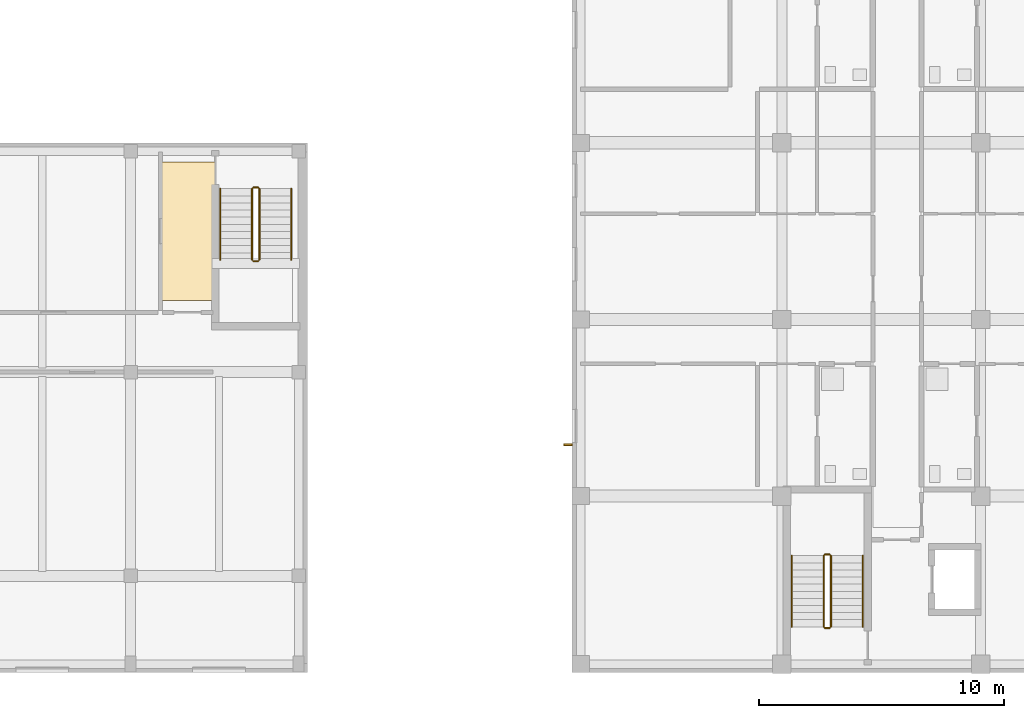
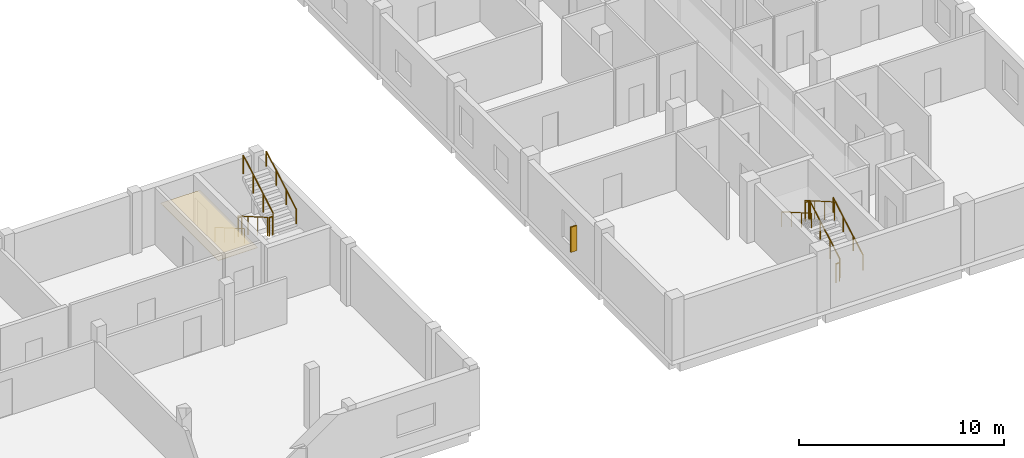
# One storey, part 67 of 73: 12 railings, 1 covering, 1 shading device.
"""IFC4 building model written with IfcOpenShell, lengths in metres."""

from ifc_helpers import new_model, si_unit, derived_unit, direction, frame, origin, origin_2d, place, context, subcontext, project, spatial, polyline, rectangle, circle, outline, extrude, material, layer, layer_set, type_object, element, save


model = new_model("IFC4")

# Units and contexts
model_context = context("Model", 3, precision=1e-05, world=origin(), true_north=direction((0.0, 1.0)))
body_context = subcontext(model_context, "Body", "Model", "MODEL_VIEW")
ifc_project = project(units=[si_unit("LENGTHUNIT", "METRE"), si_unit("AREAUNIT", "SQUARE_METRE"), si_unit("VOLUMEUNIT", "CUBIC_METRE"), si_unit("PLANEANGLEUNIT", "RADIAN"), si_unit("MASSUNIT", "GRAM", prefix="KILO"), derived_unit("THERMALTRANSMITTANCEUNIT", [(si_unit("MASSUNIT", "GRAM", prefix="KILO"), 1), (si_unit("TIMEUNIT", "SECOND"), -3), (si_unit("THERMODYNAMICTEMPERATUREUNIT", "KELVIN"), -1)])], contexts=[model_context])

# Site, building, storey
site_placement = place(None, origin())
site = spatial("IfcSite", under=ifc_project, at=site_placement, CompositionType="ELEMENT")
building_placement = place(site_placement, origin())
building = spatial("IfcBuilding", under=site, at=building_placement, Name="Ochrekiln Boulevard Commons", CompositionType="ELEMENT")
storey_placement = place(building_placement, frame((0.0, 0.0, 4.89990234375)))
storey = spatial("IfcBuildingStorey", under=building, at=storey_placement, Name="L01", CompositionType="ELEMENT", Elevation=4.89990234375)

# Covering
ifc_material_1 = material(Name="Mineral-fibre acoustic ceiling tile")
ifc_layer = layer(ifc_material_1, 0.02490234375)
ifc_layer_set = layer_set([ifc_layer], Name="Mineral-fibre acoustic ceiling tile")
covering_type = type_object("IfcCoveringType", Name="COV-CEIL-AC", PredefinedType="CEILING", material=ifc_layer_set)
covering_placement = place(storey_placement, frame((0.0, 0.0, 2.650146484375)))
element("IfcCovering", 1, at=covering_placement, inside=storey, type_object=covering_type, Name="L01 Acoustic Corridor Ceiling 30", PredefinedType="CEILING", context=body_context, shape_type="SweptSolid", body=[
    extrude(outline(polyline([(130.820068359375, 15.179931640625), (133.030029296875, 15.179931640625), (133.030029296875, 20.820068359375), (130.820068359375, 20.820068359375), (130.820068359375, 15.179931640625)])), origin(), (0.0, 0.0, 1.0), 0.02490234375),
])

# Railings
ifc_material_2 = material(Name="Brushed stainless steel 316 tubular railing", Category="steel")
railing_type_1 = type_object("IfcRailingType", Name="RLG-HDR-900", PredefinedType="HANDRAIL", material=ifc_material_2)
railing_1_placement = place(storey_placement, frame((159.449951171875, 1.8701171875, 0.167236328125)))
element("IfcRailing", 2, at=railing_1_placement, inside=storey, type_object=railing_type_1, Name="L01 ST-C1 stair handrail 1", PredefinedType="HANDRAIL", context=body_context, shape_type="SweptSolid", body=[
    extrude(circle(Radius=0.02392578125, at=origin_2d()), frame((0.0, 0.0, 0.8759765625), z_axis=(0.0, 0.866523023801, 0.499137104634), x_axis=(-1.0, 0.0, 0.0)), (0.0, 0.0, 1.0), 3.3466796875),
    extrude(circle(Radius=0.02099609375, at=origin_2d()), origin(), (0.0, 0.0, 1.0), 0.851806640625),
    extrude(circle(Radius=0.02099609375, at=origin_2d()), frame((0.0, 0.966552734375, 0.556884765625)), (0.0, 0.0, 1.0), 0.851806640625),
    extrude(circle(Radius=0.02099609375, at=origin_2d()), frame((0.0, 1.933349609375, 1.113525390625)), (0.0, 0.0, 1.0), 0.851806640625),
    extrude(circle(Radius=0.02099609375, at=origin_2d()), frame((0.0, 2.89990234375, 1.67041015625)), (0.0, 0.0, 1.0), 0.851806640625),
])
for number, where, name in (
    (3, (156.550048828125, 4.77001953125, 2.004638671875), "L01 ST-C1 stair handrail 2"),
    (4, (133.25, 19.72998046875, 0.167236328125), "L01 ST-E2 stair handrail 1"),
):
    element("IfcRailing", number, at=place(storey_placement, frame(where)), inside=storey, type_object=railing_type_1, Name=name, PredefinedType="HANDRAIL", context=body_context, shape_type="SweptSolid", body=[
        extrude(circle(Radius=0.02392578125, at=origin_2d()), frame((0.0, 0.0, 0.8759765625), z_axis=(0.0, -0.866523023801, 0.499137104634), x_axis=(1.0, 0.0, 0.0)), (0.0, 0.0, 1.0), 3.3466796875),
        extrude(circle(Radius=0.02099609375, at=origin_2d()), origin(), (0.0, 0.0, 1.0), 0.851806640625),
        extrude(circle(Radius=0.02099609375, at=origin_2d()), frame((0.0, -0.966552734375, 0.556884765625)), (0.0, 0.0, 1.0), 0.851806640625),
        extrude(circle(Radius=0.02099609375, at=origin_2d()), frame((0.0, -1.933349609375, 1.113525390625)), (0.0, 0.0, 1.0), 0.851806640625),
        extrude(circle(Radius=0.02099609375, at=origin_2d()), frame((0.0, -2.89990234375, 1.67041015625)), (0.0, 0.0, 1.0), 0.851806640625),
    ])
railing_2_placement = place(storey_placement, frame((136.14990234375, 16.830078125, 2.004638671875)))
element("IfcRailing", 5, at=railing_2_placement, inside=storey, type_object=railing_type_1, Name="L01 ST-E2 stair handrail 2", PredefinedType="HANDRAIL", context=body_context, shape_type="SweptSolid", body=[
    extrude(circle(Radius=0.02392578125, at=origin_2d()), frame((0.0, 0.0, 0.8759765625), z_axis=(0.0, 0.866523023801, 0.499137104634), x_axis=(-1.0, 0.0, 0.0)), (0.0, 0.0, 1.0), 3.3466796875),
    extrude(circle(Radius=0.02099609375, at=origin_2d()), origin(), (0.0, 0.0, 1.0), 0.851806640625),
    extrude(circle(Radius=0.02099609375, at=origin_2d()), frame((0.0, 0.966552734375, 0.556884765625)), (0.0, 0.0, 1.0), 0.851806640625),
    extrude(circle(Radius=0.02099609375, at=origin_2d()), frame((0.0, 1.933349609375, 1.113525390625)), (0.0, 0.0, 1.0), 0.851806640625),
    extrude(circle(Radius=0.02099609375, at=origin_2d()), frame((0.0, 2.89990234375, 1.67041015625)), (0.0, 0.0, 1.0), 0.851806640625),
])
railing_type_2 = type_object("IfcRailingType", Name="RLG-STR-1120", PredefinedType="BALUSTRADE", material=ifc_material_2)
railing_3_placement = place(storey_placement, frame((158.14990234375, 1.8701171875, 0.167236328125)))
element("IfcRailing", 6, at=railing_3_placement, inside=storey, type_object=railing_type_2, Name="L01 ST-C1 stair guard 1", PredefinedType="BALUSTRADE", context=body_context, shape_type="SweptSolid", body=[
    extrude(circle(Radius=0.02392578125, at=origin_2d()), frame((0.0, 0.0, 1.09619140625), z_axis=(0.0, 0.866523023801, 0.499137104634), x_axis=(-1.0, 0.0, 0.0)), (0.0, 0.0, 1.0), 3.3466796875),
    extrude(circle(Radius=0.02099609375, at=origin_2d()), origin(), (0.0, 0.0, 1.0), 1.072021484375),
    extrude(circle(Radius=0.02099609375, at=origin_2d()), frame((0.0, 0.966552734375, 0.556884765625)), (0.0, 0.0, 1.0), 1.072021484375),
    extrude(circle(Radius=0.02099609375, at=origin_2d()), frame((0.0, 1.933349609375, 1.113525390625)), (0.0, 0.0, 1.0), 1.072021484375),
    extrude(circle(Radius=0.02099609375, at=origin_2d()), frame((0.0, 2.89990234375, 1.67041015625)), (0.0, 0.0, 1.0), 1.072021484375),
])
railing_4_placement = place(storey_placement, frame((158.10009765625, 4.820068359375, 1.837646484375)))
element("IfcRailing", 7, at=railing_4_placement, inside=storey, type_object=railing_type_2, Name="L01 ST-C1 stair guard 2", PredefinedType="BALUSTRADE", context=body_context, shape_type="SweptSolid", body=[
    extrude(circle(Radius=0.02392578125, at=origin_2d()), frame((0.0, 0.0, 1.09619140625), z_axis=(-1.0, 0.0, 0.0), x_axis=(0.0, -1.0, 0.0)), (0.0, 0.0, 1.0), 0.2001953125),
    extrude(circle(Radius=0.02099609375, at=origin_2d()), origin(), (0.0, 0.0, 1.0), 1.072021484375),
    extrude(circle(Radius=0.02099609375, at=origin_2d()), frame((-0.2001953125, 0.0, 0.0)), (0.0, 0.0, 1.0), 1.072021484375),
])
railing_5_placement = place(storey_placement, frame((157.85009765625, 4.77001953125, 2.004638671875)))
element("IfcRailing", 8, at=railing_5_placement, inside=storey, type_object=railing_type_2, Name="L01 ST-C1 stair guard 3", PredefinedType="BALUSTRADE", context=body_context, shape_type="SweptSolid", body=[
    extrude(circle(Radius=0.02392578125, at=origin_2d()), frame((0.0, 0.0, 1.09619140625), z_axis=(0.0, -0.866523023801, 0.499137104634), x_axis=(1.0, 0.0, 0.0)), (0.0, 0.0, 1.0), 3.3466796875),
    extrude(circle(Radius=0.02099609375, at=origin_2d()), origin(), (0.0, 0.0, 1.0), 1.072021484375),
    extrude(circle(Radius=0.02099609375, at=origin_2d()), frame((0.0, -0.966552734375, 0.556884765625)), (0.0, 0.0, 1.0), 1.072021484375),
    extrude(circle(Radius=0.02099609375, at=origin_2d()), frame((0.0, -1.933349609375, 1.113525390625)), (0.0, 0.0, 1.0), 1.072021484375),
    extrude(circle(Radius=0.02099609375, at=origin_2d()), frame((0.0, -2.89990234375, 1.67041015625)), (0.0, 0.0, 1.0), 1.072021484375),
])
railing_6_placement = place(storey_placement, frame((158.10009765625, 1.820068359375, 0.0)))
element("IfcRailing", 9, at=railing_6_placement, inside=storey, type_object=railing_type_2, Name="L01 ST-C1 stair guard 4", PredefinedType="BALUSTRADE", context=body_context, shape_type="SweptSolid", body=[
    extrude(circle(Radius=0.02392578125, at=origin_2d()), frame((0.0, 0.0, 1.09619140625), z_axis=(-1.0, 0.0, 0.0), x_axis=(0.0, -1.0, 0.0)), (0.0, 0.0, 1.0), 0.2001953125),
    extrude(circle(Radius=0.02099609375, at=origin_2d()), origin(), (0.0, 0.0, 1.0), 1.072021484375),
    extrude(circle(Radius=0.02099609375, at=origin_2d()), frame((-0.2001953125, 0.0, 0.0)), (0.0, 0.0, 1.0), 1.072021484375),
])
railing_7_placement = place(storey_placement, frame((134.550048828125, 19.72998046875, 0.167236328125)))
element("IfcRailing", 10, at=railing_7_placement, inside=storey, type_object=railing_type_2, Name="L01 ST-E2 stair guard 1", PredefinedType="BALUSTRADE", context=body_context, shape_type="SweptSolid", body=[
    extrude(circle(Radius=0.02392578125, at=origin_2d()), frame((0.0, 0.0, 1.09619140625), z_axis=(0.0, -0.866523023801, 0.499137104634), x_axis=(1.0, 0.0, 0.0)), (0.0, 0.0, 1.0), 3.3466796875),
    extrude(circle(Radius=0.02099609375, at=origin_2d()), origin(), (0.0, 0.0, 1.0), 1.072021484375),
    extrude(circle(Radius=0.02099609375, at=origin_2d()), frame((0.0, -0.966552734375, 0.556884765625)), (0.0, 0.0, 1.0), 1.072021484375),
    extrude(circle(Radius=0.02099609375, at=origin_2d()), frame((0.0, -1.933349609375, 1.113525390625)), (0.0, 0.0, 1.0), 1.072021484375),
    extrude(circle(Radius=0.02099609375, at=origin_2d()), frame((0.0, -2.89990234375, 1.67041015625)), (0.0, 0.0, 1.0), 1.072021484375),
])
railing_8_placement = place(storey_placement, frame((134.60009765625, 16.780029296875, 1.837646484375)))
element("IfcRailing", 11, at=railing_8_placement, inside=storey, type_object=railing_type_2, Name="L01 ST-E2 stair guard 2", PredefinedType="BALUSTRADE", context=body_context, shape_type="SweptSolid", body=[
    extrude(circle(Radius=0.02392578125, at=origin_2d()), frame((0.0, 0.0, 1.09619140625), z_axis=(1.0, 0.0, 0.0), x_axis=(0.0, 1.0, 0.0)), (0.0, 0.0, 1.0), 0.199951171875),
    extrude(circle(Radius=0.02099609375, at=origin_2d()), origin(), (0.0, 0.0, 1.0), 1.072021484375),
    extrude(circle(Radius=0.02099609375, at=origin_2d()), frame((0.199951171875, 0.0, 0.0)), (0.0, 0.0, 1.0), 1.072021484375),
])
railing_9_placement = place(storey_placement, frame((134.85009765625, 16.830078125, 2.004638671875)))
element("IfcRailing", 12, at=railing_9_placement, inside=storey, type_object=railing_type_2, Name="L01 ST-E2 stair guard 3", PredefinedType="BALUSTRADE", context=body_context, shape_type="SweptSolid", body=[
    extrude(circle(Radius=0.02392578125, at=origin_2d()), frame((0.0, 0.0, 1.09619140625), z_axis=(0.0, 0.866523023801, 0.499137104634), x_axis=(-1.0, 0.0, 0.0)), (0.0, 0.0, 1.0), 3.3466796875),
    extrude(circle(Radius=0.02099609375, at=origin_2d()), origin(), (0.0, 0.0, 1.0), 1.072021484375),
    extrude(circle(Radius=0.02099609375, at=origin_2d()), frame((0.0, 0.966552734375, 0.556884765625)), (0.0, 0.0, 1.0), 1.072021484375),
    extrude(circle(Radius=0.02099609375, at=origin_2d()), frame((0.0, 1.933349609375, 1.113525390625)), (0.0, 0.0, 1.0), 1.072021484375),
    extrude(circle(Radius=0.02099609375, at=origin_2d()), frame((0.0, 2.89990234375, 1.67041015625)), (0.0, 0.0, 1.0), 1.072021484375),
])
railing_10_placement = place(storey_placement, frame((134.60009765625, 19.780029296875, 0.0)))
element("IfcRailing", 13, at=railing_10_placement, inside=storey, type_object=railing_type_2, Name="L01 ST-E2 stair guard 4", PredefinedType="BALUSTRADE", context=body_context, shape_type="SweptSolid", body=[
    extrude(circle(Radius=0.02392578125, at=origin_2d()), frame((0.0, 0.0, 1.09619140625), z_axis=(1.0, 0.0, 0.0), x_axis=(0.0, 1.0, 0.0)), (0.0, 0.0, 1.0), 0.199951171875),
    extrude(circle(Radius=0.02099609375, at=origin_2d()), origin(), (0.0, 0.0, 1.0), 1.072021484375),
    extrude(circle(Radius=0.02099609375, at=origin_2d()), frame((0.199951171875, 0.0, 0.0)), (0.0, 0.0, 1.0), 1.072021484375),
])

# Shading device
ifc_material_3 = material(Name="Glazed architectural terracotta ASTM C1405", Category="masonry")
shading_device_type = type_object("IfcShadingDeviceType", Name="SHD-FIN-TERRA", PredefinedType="JALOUSIE", material=ifc_material_3)
shading_device_placement = place(storey_placement, frame((147.429931640625, 9.301025390625, 0.97509765625), z_axis=(0.0, 0.0, 1.0), x_axis=(1.0, 0.0, 0.0)))
element("IfcShadingDevice", 14, at=shading_device_placement, inside=storey, type_object=shading_device_type, Name="Terracotta Solar Shading Fin SF-01 (54)", PredefinedType="JALOUSIE", context=body_context, shape_type="SweptSolid", body=[
    extrude(rectangle(XDim=0.35009765625, YDim=0.080078125, at=origin_2d()), origin(), (0.0, 0.0, 1.0), 1.5),
])

save(model, "model.ifc")
